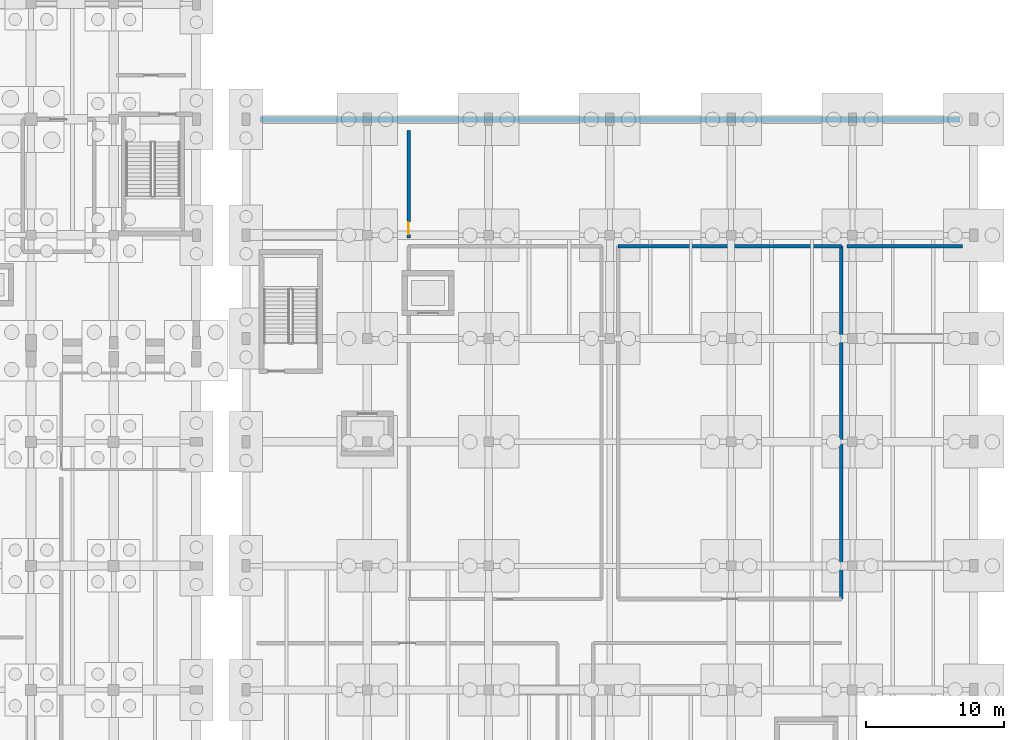
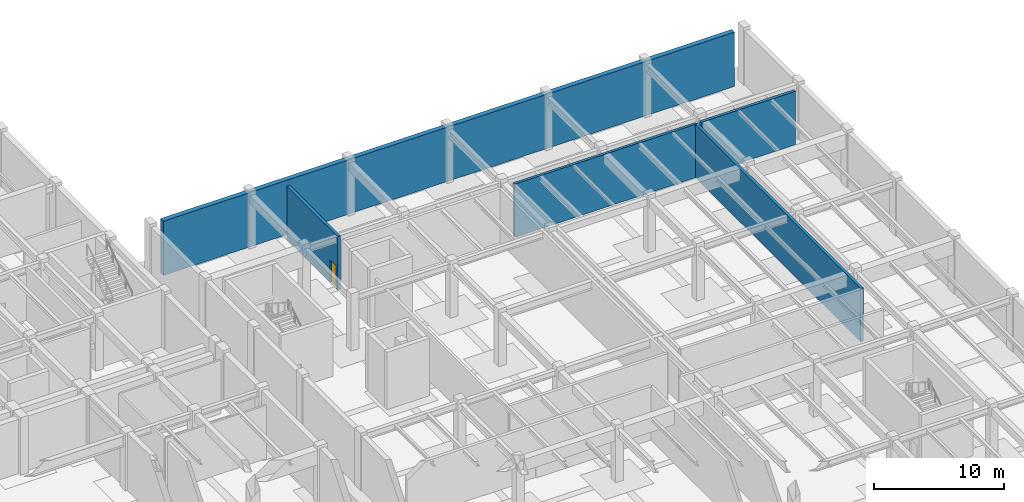
# One storey, part 56 of 69: 5 walls, 1 door, 1 opening.
"""IFC4 building model written with IfcOpenShell, lengths in metres."""

from ifc_helpers import new_model, si_unit, direction, frame, frame_2d, origin, place, context, subcontext, project, spatial, rectangle, extrude, material, layer, layer_set, type_object, element, fill, save


model = new_model("IFC4")

# Units and contexts
model_context = context("Model", 3, precision=1e-05, world=origin(), true_north=direction((0.0, 1.0)))
body_context = subcontext(model_context, "Body", "Model", "MODEL_VIEW")
ifc_project = project(units=[si_unit("LENGTHUNIT", "METRE"), si_unit("AREAUNIT", "SQUARE_METRE"), si_unit("VOLUMEUNIT", "CUBIC_METRE"), si_unit("PLANEANGLEUNIT", "RADIAN"), si_unit("MASSUNIT", "GRAM", prefix="KILO")], contexts=[model_context])

# Site, building, storey
site_placement = place(None, origin())
site = spatial("IfcSite", under=ifc_project, at=site_placement, CompositionType="ELEMENT")
building_placement = place(site_placement, origin())
building = spatial("IfcBuilding", under=site, at=building_placement, Name="Vaelkrest Opera House", CompositionType="ELEMENT")
storey_placement = place(building_placement, frame((0.0, 0.0, -5.39990234375)))
storey = spatial("IfcBuildingStorey", under=building, at=storey_placement, Name="B1", CompositionType="ELEMENT", Elevation=-5.39990234375)

# Walls
ifc_material_1 = material(Name="Concrete C40/50", Category="concrete")
ifc_layer_1 = layer(ifc_material_1, 0.239990234375)
ifc_layer_set_1 = layer_set([ifc_layer_1], Name="Concrete C40/50")
wall_type_1 = type_object("IfcWallType", Name="PT09", PredefinedType="PARTITIONING", material=ifc_layer_set_1)
wall_1_placement = place(storey_placement, frame((60.60009765625, 24.39990234375, 0.0), z_axis=(0.0, 0.0, 1.0), x_axis=(1.0, 0.0, 0.0)))
element("IfcWall", 1, at=wall_1_placement, inside=storey, type_object=wall_type_1, Name="Interior partition PT-V4-B1-0339", PredefinedType="PARTITIONING", context=body_context, shape_type="SweptSolid", body=[
    extrude(rectangle(XDim=16.199951171875, YDim=0.239990234375, at=frame_2d((8.10009765625, 0.0))), origin(), (0.0, 0.0, 1.0), 5.02001953125),
])
wall_2_placement = place(storey_placement, frame((76.800048828125, -1.199951171875, 0.0), z_axis=(0.0, 0.0, 1.0), x_axis=(0.0, 1.0, 0.0)))
element("IfcWall", 2, at=wall_2_placement, inside=storey, type_object=wall_type_1, Name="Interior partition PT-V4-B1-0341", PredefinedType="PARTITIONING", context=body_context, shape_type="SweptSolid", body=[
    extrude(rectangle(XDim=25.599853515625, YDim=0.239990234375, at=frame_2d((12.7998046875, 0.0))), origin(), (0.0, 0.0, 1.0), 5.02001953125),
])

# Wall, opening, door
ifc_layer_2 = layer(ifc_material_1, 0.260009765625)
ifc_layer_set_2 = layer_set([ifc_layer_2], Name="Concrete C40/50")
wall_type_2 = type_object("IfcWallType", Name="PT10", PredefinedType="PARTITIONING", material=ifc_layer_set_2)
wall_3_placement = place(storey_placement, frame((45.39990234375, 25.0, 0.0), z_axis=(0.0, 0.0, 1.0), x_axis=(0.0, 1.0, 0.0)))
wall_3 = element("IfcWall", 3, at=wall_3_placement, inside=storey, type_object=wall_type_2, Name="Interior partition PT-V4-B1-0342", PredefinedType="PARTITIONING", context=body_context, shape_type="SweptSolid", body=[
    extrude(rectangle(XDim=7.800048828125, YDim=0.260009765625, at=frame_2d((3.89990234375, 0.0))), origin(), (0.0, 0.0, 1.0), 5.02001953125),
])
opening_placement = place(wall_3_placement, frame((0.25, 0.0, 0.0)))
opening = element("IfcOpeningElement", 4, at=opening_placement, cuts=wall_3, Name="Opening D136", PredefinedType="OPENING", context=body_context, shape_type="SweptSolid", body=[
    extrude(rectangle(XDim=0.89990234375, YDim=2.10009765625, at=frame_2d((0.449951171875, 1.050048828125))), frame((0.0, 0.139892578125, 0.0), z_axis=(0.0, -1.0, 0.0), x_axis=(1.0, 0.0, 0.0)), (0.0, 0.0, 1.0), 0.280029296875),
])
ifc_material_2 = material(Name="American black walnut acoustic timber", Category="wood")
door_type = type_object("IfcDoorType", Name="DT01", OperationType="NOTDEFINED", PredefinedType="DOOR", material=ifc_material_2)
door_placement = place(opening_placement, origin())
door = element("IfcDoor", 5, at=door_placement, inside=storey, type_object=door_type, Name="Interior door D136 (Music Library Archive)", OperationType="SINGLE_SWING_LEFT", OverallHeight=2.10009765625, OverallWidth=0.89990234375, PredefinedType="DOOR", context=body_context, shape_type="SweptSolid", body=[
    extrude(rectangle(XDim=0.89990234375, YDim=2.10009765625, at=frame_2d((0.449951171875, 1.050048828125))), frame((0.0, 0.02490234375, 0.0), z_axis=(0.0, -1.0, 0.0), x_axis=(1.0, 0.0, 0.0)), (0.0, 0.0, 1.0), 0.050048828125),
])
fill(opening, door)

# Walls
wall_4_placement = place(storey_placement, frame((77.199951171875, 24.39990234375, 0.0), z_axis=(0.0, 0.0, 1.0), x_axis=(1.0, 0.0, 0.0)))
element("IfcWall", 6, at=wall_4_placement, inside=storey, type_object=wall_type_2, Name="Interior partition PT-V4-B1-0344", PredefinedType="PARTITIONING", context=body_context, shape_type="SweptSolid", body=[
    extrude(rectangle(XDim=8.400146484375, YDim=0.260009765625, at=frame_2d((4.2001953125, 0.0))), origin(), (0.0, 0.0, 1.0), 5.02001953125),
])
ifc_layer_3 = layer(ifc_material_1, 0.419921875)
ifc_layer_set_3 = layer_set([ifc_layer_3], Name="Concrete C40/50")
wall_type_3 = type_object("IfcWallType", Name="RW01", PredefinedType="USERDEFINED", material=ifc_layer_set_3)
wall_5_placement = place(storey_placement, frame((34.60009765625, 33.60009765625, 0.0), z_axis=(0.0, 0.0, 1.0), x_axis=(1.0, 0.0, 0.0)))
element("IfcWall", 7, at=wall_5_placement, inside=storey, type_object=wall_type_3, Name="Retaining wall RW-V4-N", ObjectType="RETAINING WALL", PredefinedType="USERDEFINED", context=body_context, shape_type="SweptSolid", body=[
    extrude(rectangle(XDim=50.7998046875, YDim=0.419921875, at=frame_2d((25.39990234375, 0.0))), origin(), (0.0, 0.0, 1.0), 5.10986328125),
])

save(model, "model.ifc")
